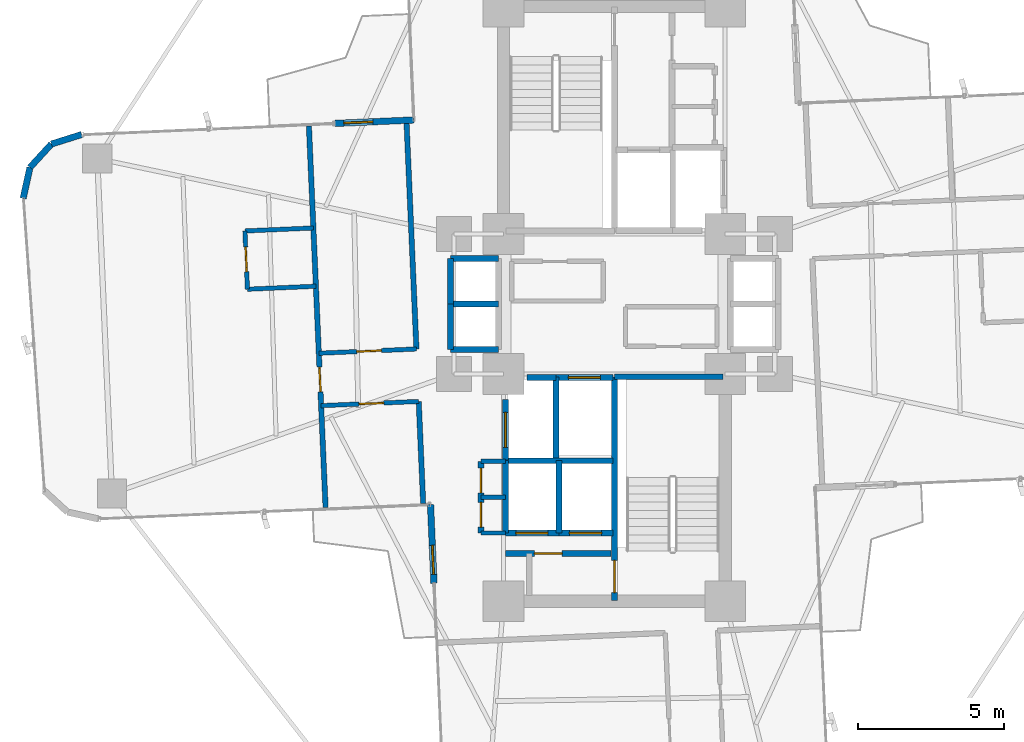
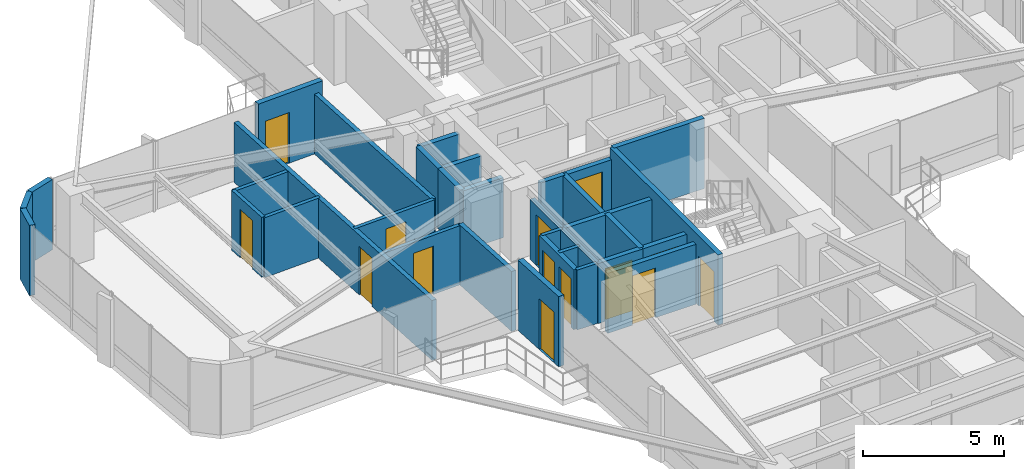
# One storey, part 23 of 27: 34 walls, 14 doors, 14 openings.
"""IFC4 building model written with IfcOpenShell, lengths in metres."""

from ifc_helpers import new_model, si_unit, direction, frame, frame_2d, origin, origin_2d, place, context, subcontext, project, spatial, rectangle, extrude, source, transform, mapped, material, layer, layer_set, type_object, element, fill, save


model = new_model("IFC4")

# Units and contexts
model_context = context("Model", 3, precision=1e-05, world=origin(), true_north=direction((0.0, 1.0)))
body_context = subcontext(model_context, "Body", "Model", "MODEL_VIEW")
ifc_project = project(units=[si_unit("LENGTHUNIT", "METRE"), si_unit("AREAUNIT", "SQUARE_METRE"), si_unit("VOLUMEUNIT", "CUBIC_METRE"), si_unit("PLANEANGLEUNIT", "RADIAN"), si_unit("MASSUNIT", "GRAM", prefix="KILO")], contexts=[model_context])

# Site, building, storey
site_placement = place(None, origin())
site = spatial("IfcSite", under=ifc_project, at=site_placement, CompositionType="ELEMENT")
building_placement = place(site_placement, origin())
building = spatial("IfcBuilding", under=site, at=building_placement, Name="Sahyath Konkavel Grand Hotel", CompositionType="ELEMENT")
storey_placement = place(building_placement, frame((0.0, 0.0, 103.60009765625)))
storey = spatial("IfcBuildingStorey", under=building, at=storey_placement, Name="L28", CompositionType="ELEMENT", Elevation=103.60009765625)

# Wall, opening, door
ifc_material_1 = material(Name="Warm Buff Sandstone Insulated Concrete C40/50", Category="masonry")
ifc_layer_1 = layer(ifc_material_1, 0.219970703125)
ifc_layer_set_1 = layer_set([ifc_layer_1], Name="Warm Buff Sandstone Insulated Concrete C40/50")
wall_type_1 = type_object("IfcWallType", Name="WLL-BALC-THRESH", PredefinedType="STANDARD", material=ifc_layer_set_1)
wall_1_placement = place(storey_placement, frame((-6.881591796875, 6.305908203125, 0.0), z_axis=(0.0, 0.0, 1.0), x_axis=(-0.999045894436, -0.043672655174, 0.0)))
wall_1 = element("IfcWall", 1, at=wall_1_placement, inside=storey, type_object=wall_type_1, Name="L28 Winter-Garden Threshold Wall 16", PredefinedType="STANDARD", context=body_context, shape_type="SweptSolid", body=[
    extrude(rectangle(XDim=2.7001953125, YDim=0.219970703125, at=frame_2d((1.35009765625, 0.0))), origin(), (0.0, 0.0, 1.0), 3.0498046875),
])
opening_1_placement = place(wall_1_placement, frame((1.39990234375, 0.0, 0.0)))
opening_1 = element("IfcOpeningElement", 2, at=opening_1_placement, cuts=wall_1, Name="Opening D-TR1", PredefinedType="OPENING", context=body_context, shape_type="SweptSolid", body=[
    extrude(rectangle(XDim=1.0, YDim=2.199951171875, at=frame_2d((0.5, 1.10009765625))), frame((0.0, 0.1201171875, 0.0), z_axis=(0.0, -1.0, 0.0), x_axis=(1.0, 0.0, 0.0)), (0.0, 0.0, 1.0), 0.239990234375),
])
ifc_material_2 = material(Name="Anodised Bronze Aluminium & Low-E Glazing", Category="aluminium")
door_type_1 = type_object("IfcDoorType", Name="DR-TERRACE-1000", OperationType="NOTDEFINED", PredefinedType="DOOR", material=ifc_material_2)
shared_shape_1 = source(origin(), body_context, "Body", "SweptSolid", [
    extrude(rectangle(XDim=1.0, YDim=0.050048828125, at=origin_2d()), origin(), (0.0, 0.0, 1.0), 2.199951171875),
])
door_1_placement = place(opening_1_placement, frame((0.5, 0.0, 0.0)))
door_1 = element("IfcDoor", 3, at=door_1_placement, inside=storey, type_object=door_type_1, Name="L28 Winter-Garden Terrace Door 16", OperationType="SINGLE_SWING_LEFT", OverallHeight=2.199951171875, OverallWidth=1.0, PredefinedType="DOOR", context=body_context, shape_type="MappedRepresentation", body=[
    mapped(shared_shape_1, transform((0.0, 0.0, 0.0), scale=1.0)),
])
fill(opening_1, door_1)

# Walls
for number, where, z_axis, x_axis, name in (
    (4, (-18.270751953125, 5.80859375, 0.0), (0.0, 0.0, 1.0), (-0.953721713582, -0.30069069331, 0.0), "L28 Rounded Corner Sandstone Pier 17"),
    (5, (-19.3076171875, 5.481689453125, 0.0), (0.0, 0.0, 1.0), (-0.675551721847, -0.737312600672, 0.0), "L28 Rounded Corner Sandstone Pier 18"),
):
    element("IfcWall", number, at=place(storey_placement, frame(where, z_axis=z_axis, x_axis=x_axis)), inside=storey, type_object=wall_type_1, Name=name, PredefinedType="STANDARD", context=body_context, shape_type="SweptSolid", body=[
        extrude(rectangle(XDim=1.087158203125, YDim=0.219970703125, at=frame_2d((0.54345703125, 0.0))), origin(), (0.0, 0.0, 1.0), 3.0498046875),
    ])
wall_2_placement = place(storey_placement, frame((-20.0419921875, 4.68017578125, 0.0), z_axis=(0.0, 0.0, 1.0), x_axis=(-0.216288323511, -0.976329535102, 0.0)))
element("IfcWall", 6, at=wall_2_placement, inside=storey, type_object=wall_type_1, Name="L28 Rounded Corner Sandstone Pier 19", PredefinedType="STANDARD", context=body_context, shape_type="SweptSolid", body=[
    extrude(rectangle(XDim=1.0869140625, YDim=0.219970703125, at=frame_2d((0.54345703125, 0.0))), origin(), (0.0, 0.0, 1.0), 3.0498046875),
])

# Wall, opening, door
wall_3_placement = place(storey_placement, frame((-6.305908203125, -6.881591796875, 0.0), z_axis=(0.0, 0.0, 1.0), x_axis=(0.043672655174, -0.999045894436, 0.0)))
wall_3 = element("IfcWall", 7, at=wall_3_placement, inside=storey, type_object=wall_type_1, Name="L28 Winter-Garden Threshold Wall 24", PredefinedType="STANDARD", context=body_context, shape_type="SweptSolid", body=[
    extrude(rectangle(XDim=2.7001953125, YDim=0.219970703125, at=frame_2d((1.35009765625, 0.0))), origin(), (0.0, 0.0, 1.0), 3.0498046875),
])
opening_2_placement = place(wall_3_placement, frame((1.39990234375, 0.0, 0.0)))
opening_2 = element("IfcOpeningElement", 8, at=opening_2_placement, cuts=wall_3, Name="Opening D-TR1", PredefinedType="OPENING", context=body_context, shape_type="SweptSolid", body=[
    extrude(rectangle(XDim=1.0, YDim=2.199951171875, at=frame_2d((0.5, 1.10009765625))), frame((0.0, 0.1201171875, 0.0), z_axis=(0.0, -1.0, 0.0), x_axis=(1.0, 0.0, 0.0)), (0.0, 0.0, 1.0), 0.239990234375),
])
door_2_placement = place(opening_2_placement, frame((0.5, 0.0, 0.0)))
door_2 = element("IfcDoor", 9, at=door_2_placement, inside=storey, type_object=door_type_1, Name="L28 Winter-Garden Terrace Door 24", OperationType="SINGLE_SWING_LEFT", OverallHeight=2.199951171875, OverallWidth=1.0, PredefinedType="DOOR", context=body_context, shape_type="MappedRepresentation", body=[
    mapped(shared_shape_1, transform((0.0, 0.0, 0.0), scale=1.0)),
])
fill(opening_2, door_2)

ifc_material_3 = material(Name="Concrete C40/50", Category="concrete")
ifc_layer_2 = layer(ifc_material_3, 0.199951171875)
ifc_layer_set_2 = layer_set([ifc_layer_2], Name="Concrete C40/50")
wall_type_2 = type_object("IfcWallType", Name="WLL-CORE-200", PredefinedType="SOLIDWALL", material=ifc_layer_set_2)
wall_4_placement = place(storey_placement, frame((0.0, -10.179931640625, 0.0), z_axis=(0.0, 0.0, 1.0), x_axis=(0.0, 1.0, 0.0)))
wall_4 = element("IfcWall", 10, at=wall_4_placement, inside=storey, type_object=wall_type_2, Name="L28 Stair ST-2 Shaft Wall W", PredefinedType="SOLIDWALL", context=body_context, shape_type="SweptSolid", body=[
    extrude(rectangle(XDim=7.679931640625, YDim=0.199951171875, at=frame_2d((3.83984375, 0.0))), origin(), (0.0, 0.0, 1.0), 3.0498046875),
])
opening_3_placement = place(wall_4_placement, frame((0.280029296875, 0.0, 0.0)))
opening_3 = element("IfcOpeningElement", 11, at=opening_3_placement, cuts=wall_4, Name="Opening D-F12B", PredefinedType="OPENING", context=body_context, shape_type="SweptSolid", body=[
    extrude(rectangle(XDim=1.10009765625, YDim=2.14990234375, at=frame_2d((0.550048828125, 1.074951171875))), frame((0.0, 0.10986328125, 0.0), z_axis=(0.0, -1.0, 0.0), x_axis=(1.0, 0.0, 0.0)), (0.0, 0.0, 1.0), 0.219970703125),
])
ifc_material_4 = material(Name="Steel E350 Smokeproof Fire Door", Category="steel")
door_type_2 = type_object("IfcDoorType", Name="DR-FD120-1100", OperationType="NOTDEFINED", PredefinedType="DOOR", material=ifc_material_4)
shared_shape_2 = source(origin(), body_context, "Body", "SweptSolid", [
    extrude(rectangle(XDim=1.10009765625, YDim=0.050048828125, at=origin_2d()), origin(), (0.0, 0.0, 1.0), 2.14990234375),
])
door_3_placement = place(opening_3_placement, frame((0.550048828125, 0.0, 0.0)))
door_3 = element("IfcDoor", 12, at=door_3_placement, inside=storey, type_object=door_type_2, Name="L28 Stair ST-2 Fire Door", OperationType="SINGLE_SWING_LEFT", OverallHeight=2.14990234375, OverallWidth=1.10009765625, PredefinedType="DOOR", context=body_context, shape_type="MappedRepresentation", body=[
    mapped(shared_shape_2, transform((0.0, 0.0, 0.0), scale=1.0)),
])
fill(opening_3, door_3)

# Walls
wall_5_placement = place(storey_placement, frame((0.0, -2.5, 0.0), z_axis=(0.0, 0.0, 1.0), x_axis=(1.0, 0.0, 0.0)))
element("IfcWall", 13, at=wall_5_placement, inside=storey, type_object=wall_type_2, Name="L28 Stair ST-2 Shaft Wall N", PredefinedType="SOLIDWALL", context=body_context, shape_type="SweptSolid", body=[
    extrude(rectangle(XDim=3.719970703125, YDim=0.199951171875, at=frame_2d((1.85986328125, 0.0))), origin(), (0.0, 0.0, 1.0), 3.0498046875),
])
wall_6_placement = place(storey_placement, frame((-2.0, -5.280029296875, 0.0), z_axis=(0.0, 0.0, 1.0), x_axis=(0.0, 1.0, 0.0)))
element("IfcWall", 14, at=wall_6_placement, inside=storey, type_object=wall_type_2, Name="L28 Partition SH-FFL2-W", PredefinedType="SOLIDWALL", context=body_context, shape_type="SweptSolid", body=[
    extrude(rectangle(XDim=2.780029296875, YDim=0.199951171875, at=frame_2d((1.39013671875, 0.0))), origin(), (0.0, 0.0, 1.0), 2.599853515625),
])

# Wall, opening, door
wall_7_placement = place(storey_placement, frame((-2.0, -2.52001953125, 0.0), z_axis=(0.0, 0.0, 1.0), x_axis=(1.0, 0.0, 0.0)))
wall_7 = element("IfcWall", 15, at=wall_7_placement, inside=storey, type_object=wall_type_2, Name="L28 Partition SH-FFL2-N", PredefinedType="SOLIDWALL", context=body_context, shape_type="SweptSolid", body=[
    extrude(rectangle(XDim=1.949951171875, YDim=0.199951171875, at=frame_2d((0.97509765625, 0.0))), origin(), (0.0, 0.0, 1.0), 2.599853515625),
])
opening_4_placement = place(wall_7_placement, frame((0.419921875, 0.0, 0.0)))
opening_4 = element("IfcOpeningElement", 16, at=opening_4_placement, cuts=wall_7, Name="Opening LD-11", PredefinedType="OPENING", context=body_context, shape_type="SweptSolid", body=[
    extrude(rectangle(XDim=1.10009765625, YDim=2.199951171875, at=frame_2d((0.550048828125, 1.10009765625))), frame((0.0, 0.10986328125, 0.0), z_axis=(0.0, -1.0, 0.0), x_axis=(1.0, 0.0, 0.0)), (0.0, 0.0, 1.0), 0.219970703125),
])
ifc_material_5 = material(Name="Bronze Lift Landing Door 1100")
door_type_3 = type_object("IfcDoorType", Name="DR-LIFT-1100", OperationType="DOUBLE_DOOR_SLIDING", PredefinedType="DOOR", material=ifc_material_5)
shared_shape_3 = source(origin(), body_context, "Body", "SweptSolid", [
    extrude(rectangle(XDim=1.10009765625, YDim=0.050048828125, at=origin_2d()), origin(), (0.0, 0.0, 1.0), 2.199951171875),
])
door_4_placement = place(opening_4_placement, frame((0.550048828125, 0.0, 0.0)))
door_4 = element("IfcDoor", 17, at=door_4_placement, inside=storey, type_object=door_type_3, Name="L28 Lift FFL-2 Landing Door", OperationType="DOUBLE_DOOR_SLIDING", OverallHeight=2.199951171875, OverallWidth=1.10009765625, PredefinedType="DOOR", context=body_context, shape_type="MappedRepresentation", body=[
    mapped(shared_shape_3, transform((0.0, 0.0, 0.0), scale=1.0)),
])
fill(opening_4, door_4)

# Wall
wall_8_placement = place(storey_placement, frame((-3.0, -2.52001953125, 0.0), z_axis=(0.0, 0.0, 1.0), x_axis=(1.0, 0.0, 0.0)))
element("IfcWall", 18, at=wall_8_placement, inside=storey, type_object=wall_type_2, Name="L28 Partition SH-SVL2-N", PredefinedType="SOLIDWALL", context=body_context, shape_type="SweptSolid", body=[
    extrude(rectangle(XDim=1.0, YDim=0.199951171875, at=frame_2d((0.5, 0.0))), origin(), (0.0, 0.0, 1.0), 2.599853515625),
])

# Wall, opening, door
wall_9_placement = place(storey_placement, frame((-3.739990234375, -5.360107421875, 0.0), z_axis=(0.0, 0.0, 1.0), x_axis=(0.0, 1.0, 0.0)))
wall_9 = element("IfcWall", 19, at=wall_9_placement, inside=storey, type_object=wall_type_2, Name="L28 Partition SH-SVL2-W", PredefinedType="SOLIDWALL", context=body_context, shape_type="SweptSolid", body=[
    extrude(rectangle(XDim=2.080078125, YDim=0.199951171875, at=frame_2d((1.0400390625, 0.0))), origin(), (0.0, 0.0, 1.0), 2.599853515625),
])
opening_5_placement = place(wall_9_placement, frame((0.43994140625, 0.0, 0.0)))
opening_5 = element("IfcOpeningElement", 20, at=opening_5_placement, cuts=wall_9, Name="Opening LD-12", PredefinedType="OPENING", context=body_context, shape_type="SweptSolid", body=[
    extrude(rectangle(XDim=1.199951171875, YDim=2.199951171875, at=frame_2d((0.60009765625, 1.10009765625))), frame((0.0, 0.10986328125, 0.0), z_axis=(0.0, -1.0, 0.0), x_axis=(1.0, 0.0, 0.0)), (0.0, 0.0, 1.0), 0.219970703125),
])
ifc_material_6 = material(Name="Stainless Steel Lift Landing Door 1200", Category="steel")
door_type_4 = type_object("IfcDoorType", Name="DR-LIFT-1200", OperationType="DOUBLE_DOOR_SLIDING", PredefinedType="DOOR", material=ifc_material_6)
shared_shape_4 = source(origin(), body_context, "Body", "SweptSolid", [
    extrude(rectangle(XDim=1.199951171875, YDim=0.050048828125, at=origin_2d()), origin(), (0.0, 0.0, 1.0), 2.199951171875),
])
door_5_placement = place(opening_5_placement, frame((0.60009765625, 0.0, 0.0)))
door_5 = element("IfcDoor", 21, at=door_5_placement, inside=storey, type_object=door_type_4, Name="L28 Service Lift SVL-2 Landing Door", OperationType="DOUBLE_DOOR_SLIDING", OverallHeight=2.199951171875, OverallWidth=1.199951171875, PredefinedType="DOOR", context=body_context, shape_type="MappedRepresentation", body=[
    mapped(shared_shape_4, transform((0.0, 0.0, 0.0), scale=1.0)),
])
fill(opening_5, door_5)

# Wall
wall_10_placement = place(storey_placement, frame((-3.739990234375, -7.860107421875, 0.0), z_axis=(0.0, 0.0, 1.0), x_axis=(0.0, 1.0, 0.0)))
element("IfcWall", 22, at=wall_10_placement, inside=storey, type_object=wall_type_2, Name="L28 Partition SH-PL3-W", PredefinedType="SOLIDWALL", context=body_context, shape_type="SweptSolid", body=[
    extrude(rectangle(XDim=2.480224609375, YDim=0.199951171875, at=frame_2d((1.240234375, 0.0))), origin(), (0.0, 0.0, 1.0), 2.599853515625),
])

# Wall, opening, door
wall_11_placement = place(storey_placement, frame((-3.739990234375, -7.860107421875, 0.0), z_axis=(0.0, 0.0, 1.0), x_axis=(1.0, 0.0, 0.0)))
wall_11 = element("IfcWall", 23, at=wall_11_placement, inside=storey, type_object=wall_type_2, Name="L28 Partition SH-PL3-S", PredefinedType="SOLIDWALL", context=body_context, shape_type="SweptSolid", body=[
    extrude(rectangle(XDim=1.840087890625, YDim=0.199951171875, at=frame_2d((0.919921875, 0.0))), origin(), (0.0, 0.0, 1.0), 2.599853515625),
])
opening_6_placement = place(wall_11_placement, frame((0.360107421875, 0.0, 0.0)))
opening_6 = element("IfcOpeningElement", 24, at=opening_6_placement, cuts=wall_11, Name="Opening LD-11", PredefinedType="OPENING", context=body_context, shape_type="SweptSolid", body=[
    extrude(rectangle(XDim=1.10009765625, YDim=2.199951171875, at=frame_2d((0.550048828125, 1.10009765625))), frame((0.0, 0.10986328125, 0.0), z_axis=(0.0, -1.0, 0.0), x_axis=(1.0, 0.0, 0.0)), (0.0, 0.0, 1.0), 0.219970703125),
])
door_6_placement = place(opening_6_placement, frame((0.550048828125, 0.0, 0.0)))
door_6 = element("IfcDoor", 25, at=door_6_placement, inside=storey, type_object=door_type_3, Name="L28 Passenger Lift PL-3 Landing Door", OperationType="DOUBLE_DOOR_SLIDING", OverallHeight=2.199951171875, OverallWidth=1.10009765625, PredefinedType="DOOR", context=body_context, shape_type="MappedRepresentation", body=[
    mapped(shared_shape_3, transform((0.0, 0.0, 0.0), scale=1.0)),
])
fill(opening_6, door_6)

# Walls
wall_12_placement = place(storey_placement, frame((-3.739990234375, -5.3798828125, 0.0), z_axis=(0.0, 0.0, 1.0), x_axis=(1.0, 0.0, 0.0)))
element("IfcWall", 26, at=wall_12_placement, inside=storey, type_object=wall_type_2, Name="L28 Partition SH-PL34-N", PredefinedType="SOLIDWALL", context=body_context, shape_type="SweptSolid", body=[
    extrude(rectangle(XDim=3.68994140625, YDim=0.199951171875, at=frame_2d((1.844970703125, 0.0))), origin(), (0.0, 0.0, 1.0), 2.599853515625),
])
wall_13_placement = place(storey_placement, frame((-1.89990234375, -7.860107421875, 0.0), z_axis=(0.0, 0.0, 1.0), x_axis=(0.0, 1.0, 0.0)))
element("IfcWall", 27, at=wall_13_placement, inside=storey, type_object=wall_type_2, Name="L28 Partition SH-PL34-M", PredefinedType="SOLIDWALL", context=body_context, shape_type="SweptSolid", body=[
    extrude(rectangle(XDim=2.480224609375, YDim=0.199951171875, at=frame_2d((1.240234375, 0.0))), origin(), (0.0, 0.0, 1.0), 2.599853515625),
])

# Wall, opening, door
wall_14_placement = place(storey_placement, frame((-1.89990234375, -7.860107421875, 0.0), z_axis=(0.0, 0.0, 1.0), x_axis=(1.0, 0.0, 0.0)))
wall_14 = element("IfcWall", 28, at=wall_14_placement, inside=storey, type_object=wall_type_2, Name="L28 Partition SH-PL4-S", PredefinedType="SOLIDWALL", context=body_context, shape_type="SweptSolid", body=[
    extrude(rectangle(XDim=1.849853515625, YDim=0.199951171875, at=frame_2d((0.9248046875, 0.0))), origin(), (0.0, 0.0, 1.0), 2.599853515625),
])
opening_7_placement = place(wall_14_placement, frame((0.360107421875, 0.0, 0.0)))
opening_7 = element("IfcOpeningElement", 29, at=opening_7_placement, cuts=wall_14, Name="Opening LD-11", PredefinedType="OPENING", context=body_context, shape_type="SweptSolid", body=[
    extrude(rectangle(XDim=1.10009765625, YDim=2.199951171875, at=frame_2d((0.550048828125, 1.10009765625))), frame((0.0, 0.10986328125, 0.0), z_axis=(0.0, -1.0, 0.0), x_axis=(1.0, 0.0, 0.0)), (0.0, 0.0, 1.0), 0.219970703125),
])
door_7_placement = place(opening_7_placement, frame((0.550048828125, 0.0, 0.0)))
door_7 = element("IfcDoor", 30, at=door_7_placement, inside=storey, type_object=door_type_3, Name="L28 Passenger Lift PL-4 Landing Door", OperationType="DOUBLE_DOOR_SLIDING", OverallHeight=2.199951171875, OverallWidth=1.10009765625, PredefinedType="DOOR", context=body_context, shape_type="MappedRepresentation", body=[
    mapped(shared_shape_3, transform((0.0, 0.0, 0.0), scale=1.0)),
])
fill(opening_7, door_7)

# Walls
for number, where, z_axis, x_axis, name in (
    (31, (-5.6201171875, 1.56005859375, 0.0), (0.0, 0.0, 1.0), (1.0, 0.0, 0.0), "L28 Partition SH-SL12-N"),
    (32, (-5.6201171875, -1.56005859375, 0.0), (0.0, 0.0, 1.0), (1.0, 0.0, 0.0), "L28 Partition SH-SL12-S"),
    (33, (-5.6201171875, 0.0, 0.0), (0.0, 0.0, 1.0), (1.0, 0.0, 0.0), "L28 Partition SH-SL12-M"),
):
    element("IfcWall", number, at=place(storey_placement, frame(where, z_axis=z_axis, x_axis=x_axis)), inside=storey, type_object=wall_type_2, Name=name, PredefinedType="SOLIDWALL", context=body_context, shape_type="SweptSolid", body=[
        extrude(rectangle(XDim=1.64013671875, YDim=0.199951171875, at=frame_2d((0.820068359375, 0.0))), origin(), (0.0, 0.0, 1.0), 2.599853515625),
    ])
for number, where, z_axis, x_axis, name in (
    (34, (-5.6201171875, 0.0, 0.0), (0.0, 0.0, 1.0), (0.0, 1.0, 0.0), "L28 Partition SH-SL1-W"),
    (35, (-5.6201171875, -1.56005859375, 0.0), (0.0, 0.0, 1.0), (0.0, 1.0, 0.0), "L28 Partition SH-SL2-W"),
):
    element("IfcWall", number, at=place(storey_placement, frame(where, z_axis=z_axis, x_axis=x_axis)), inside=storey, type_object=wall_type_2, Name=name, PredefinedType="SOLIDWALL", context=body_context, shape_type="SweptSolid", body=[
        extrude(rectangle(XDim=1.56005859375, YDim=0.199951171875, at=frame_2d((0.780029296875, 0.0))), origin(), (0.0, 0.0, 1.0), 2.599853515625),
    ])

# Wall, opening, door
wall_15_placement = place(storey_placement, frame((-3.739990234375, -8.56005859375, 0.0), z_axis=(0.0, 0.0, 1.0), x_axis=(1.0, 0.0, 0.0)))
wall_15 = element("IfcWall", 36, at=wall_15_placement, inside=storey, type_object=wall_type_2, Name="L28 South FF Lobby Separation Wall", PredefinedType="SOLIDWALL", context=body_context, shape_type="SweptSolid", body=[
    extrude(rectangle(XDim=3.619873046875, YDim=0.199951171875, at=frame_2d((1.81005859375, 0.0))), origin(), (0.0, 0.0, 1.0), 2.599853515625),
])
opening_8_placement = place(wall_15_placement, frame((1.0, 0.0, 0.0)))
opening_8 = element("IfcOpeningElement", 37, at=opening_8_placement, cuts=wall_15, Name="Opening D-F12C", PredefinedType="OPENING", context=body_context, shape_type="SweptSolid", body=[
    extrude(rectangle(XDim=0.949951171875, YDim=2.14990234375, at=frame_2d((0.47509765625, 1.074951171875))), frame((0.0, 0.10986328125, 0.0), z_axis=(0.0, -1.0, 0.0), x_axis=(1.0, 0.0, 0.0)), (0.0, 0.0, 1.0), 0.219970703125),
])
ifc_material_7 = material(Name="Steel E350 Plant Fire Door", Category="steel")
door_type_5 = type_object("IfcDoorType", Name="DR-FD120-950", OperationType="NOTDEFINED", PredefinedType="DOOR", material=ifc_material_7)
shared_shape_5 = source(origin(), body_context, "Body", "SweptSolid", [
    extrude(rectangle(XDim=0.949951171875, YDim=0.050048828125, at=origin_2d()), origin(), (0.0, 0.0, 1.0), 2.14990234375),
])
door_8_placement = place(opening_8_placement, frame((0.47509765625, 0.0, 0.0)))
door_8 = element("IfcDoor", 38, at=door_8_placement, inside=storey, type_object=door_type_5, Name="L28 South Firefighting Lobby Door", OperationType="SINGLE_SWING_RIGHT", OverallHeight=2.14990234375, OverallWidth=0.949951171875, PredefinedType="DOOR", context=body_context, shape_type="MappedRepresentation", body=[
    mapped(shared_shape_5, transform((0.0, 0.0, 0.0), scale=1.0)),
])
fill(opening_8, door_8)

# Wall, openings, doors
wall_16_placement = place(storey_placement, frame((-4.580078125, -7.860107421875, 0.0), z_axis=(0.0, 0.0, 1.0), x_axis=(0.0, 1.0, 0.0)))
wall_16 = element("IfcWall", 39, at=wall_16_placement, inside=storey, type_object=wall_type_2, Name="L28 Partition SC-FLK-W", PredefinedType="SOLIDWALL", context=body_context, shape_type="SweptSolid", body=[
    extrude(rectangle(XDim=2.460205078125, YDim=0.199951171875, at=frame_2d((1.22998046875, 0.0))), origin(), (0.0, 0.0, 1.0), 2.599853515625),
])
opening_9_placement = place(wall_16_placement, frame((0.199951171875, 0.0, 0.0)))
opening_9 = element("IfcOpeningElement", 40, at=opening_9_placement, cuts=wall_16, Name="Opening D-F06D", PredefinedType="OPENING", context=body_context, shape_type="SweptSolid", body=[
    extrude(rectangle(XDim=0.85009765625, YDim=2.10009765625, at=frame_2d((0.425048828125, 1.050048828125))), frame((0.0, 0.10986328125, 0.0), z_axis=(0.0, -1.0, 0.0), x_axis=(1.0, 0.0, 0.0)), (0.0, 0.0, 1.0), 0.219970703125),
])
opening_10_placement = place(wall_16_placement, frame((1.3798828125, 0.0, 0.0)))
opening_10 = element("IfcOpeningElement", 41, at=opening_10_placement, cuts=wall_16, Name="Opening D-F06D", PredefinedType="OPENING", context=body_context, shape_type="SweptSolid", body=[
    extrude(rectangle(XDim=0.85009765625, YDim=2.10009765625, at=frame_2d((0.425048828125, 1.050048828125))), frame((0.0, 0.10986328125, 0.0), z_axis=(0.0, -1.0, 0.0), x_axis=(1.0, 0.0, 0.0)), (0.0, 0.0, 1.0), 0.219970703125),
])
ifc_material_8 = material(Name="Fire-Rated Shaft Access Door")
door_type_6 = type_object("IfcDoorType", Name="DR-FD60-850", OperationType="NOTDEFINED", PredefinedType="DOOR", material=ifc_material_8)
shared_shape_6 = source(origin(), body_context, "Body", "SweptSolid", [
    extrude(rectangle(XDim=0.85009765625, YDim=0.050048828125, at=origin_2d()), origin(), (0.0, 0.0, 1.0), 2.10009765625),
])
door_9_placement = place(opening_9_placement, frame((0.425048828125, 0.0, 0.0)))
door_9 = element("IfcDoor", 42, at=door_9_placement, inside=storey, type_object=door_type_6, Name="L28 Door SC-FLK1-D", OperationType="SINGLE_SWING_LEFT", OverallHeight=2.10009765625, OverallWidth=0.85009765625, PredefinedType="DOOR", context=body_context, shape_type="MappedRepresentation", body=[
    mapped(shared_shape_6, transform((0.0, 0.0, 0.0), scale=1.0)),
])
fill(opening_9, door_9)
door_10_placement = place(opening_10_placement, frame((0.425048828125, 0.0, 0.0)))
door_10 = element("IfcDoor", 43, at=door_10_placement, inside=storey, type_object=door_type_6, Name="L28 Door SC-FLK2-D", OperationType="SINGLE_SWING_RIGHT", OverallHeight=2.10009765625, OverallWidth=0.85009765625, PredefinedType="DOOR", context=body_context, shape_type="MappedRepresentation", body=[
    mapped(shared_shape_6, transform((0.0, 0.0, 0.0), scale=1.0)),
])
fill(opening_10, door_10)

# Walls
ifc_material_9 = material(Name="Twin-Stud Acoustic Gypsum Plasterboard Partition")
ifc_layer_3 = layer(ifc_material_9, 0.179931640625)
ifc_layer_set_3 = layer_set([ifc_layer_3], Name="Twin-Stud Acoustic Gypsum Plasterboard Partition")
wall_type_3 = type_object("IfcWallType", Name="WLL-DEMISE-180", PredefinedType="PARTITIONING", material=ifc_layer_set_3)
wall_17_placement = place(storey_placement, frame((-6.71044921875, -3.345947265625, 0.0), z_axis=(0.0, 0.0, 1.0), x_axis=(0.043597663116, -0.999049169846, 0.0)))
element("IfcWall", 44, at=wall_17_placement, inside=storey, type_object=wall_type_3, Name="L28 Partition W-INL", PredefinedType="PARTITIONING", context=body_context, shape_type="SweptSolid", body=[
    extrude(rectangle(XDim=3.5, YDim=0.179931640625, at=frame_2d((1.75, 0.0))), origin(), (0.0, 0.0, 1.0), 2.599853515625),
])
wall_18_placement = place(storey_placement, frame((-7.129150390625, 6.2451171875, 0.0), z_axis=(0.0, 0.0, 1.0), x_axis=(0.043600217373, -0.999049058378, 0.0)))
element("IfcWall", 45, at=wall_18_placement, inside=storey, type_object=wall_type_3, Name="L28 Partition W-INR", PredefinedType="PARTITIONING", context=body_context, shape_type="SweptSolid", body=[
    extrude(rectangle(XDim=7.800048828125, YDim=0.179931640625, at=frame_2d((3.89990234375, 0.0))), origin(), (0.0, 0.0, 1.0), 2.599853515625),
])

# Wall, opening, door
wall_19_placement = place(storey_placement, frame((-10.47607421875, 6.098876953125, 0.0), z_axis=(0.0, 0.0, 1.0), x_axis=(0.043628089563, -0.999047841598, 0.0)))
wall_19 = element("IfcWall", 46, at=wall_19_placement, inside=storey, type_object=wall_type_3, Name="L28 Partition W-WTIP-END", PredefinedType="PARTITIONING", context=body_context, shape_type="SweptSolid", body=[
    extrude(rectangle(XDim=13.10009765625, YDim=0.179931640625, at=frame_2d((6.550048828125, 0.0))), origin(), (0.0, 0.0, 1.0), 2.599853515625),
])
opening_11_placement = place(wall_19_placement, frame((8.27490234375, 0.0, 0.0)))
opening_11 = element("IfcOpeningElement", 47, at=opening_11_placement, cuts=wall_19, Name="Opening D-F06D", PredefinedType="OPENING", context=body_context, shape_type="SweptSolid", body=[
    extrude(rectangle(XDim=0.85009765625, YDim=2.10009765625, at=frame_2d((0.425048828125, 1.050048828125))), frame((0.0, 0.10009765625, 0.0), z_axis=(0.0, -1.0, 0.0), x_axis=(1.0, 0.0, 0.0)), (0.0, 0.0, 1.0), 0.199951171875),
])
door_11_placement = place(opening_11_placement, frame((0.425048828125, 0.0, 0.0)))
door_11 = element("IfcDoor", 48, at=door_11_placement, inside=storey, type_object=door_type_6, Name="L28 Door W-WTIP-ED", OperationType="SINGLE_SWING_RIGHT", OverallHeight=2.10009765625, OverallWidth=0.85009765625, PredefinedType="DOOR", context=body_context, shape_type="MappedRepresentation", body=[
    mapped(shared_shape_6, transform((0.0, 0.0, 0.0), scale=1.0)),
])
fill(opening_11, door_11)

# Walls
ifc_material_10 = material(Name="Fire-Rated Gypsum Plasterboard Partition")
ifc_layer_4 = layer(ifc_material_10, 0.14990234375)
ifc_layer_set_4 = layer_set([ifc_layer_4], Name="Fire-Rated Gypsum Plasterboard Partition")
wall_type_4 = type_object("IfcWallType", Name="WLL-PART-150", PredefinedType="PARTITIONING", material=ifc_layer_set_4)
for number, where, z_axis, x_axis, name in (
    (49, (-4.580078125, -5.39990234375, 0.0), (0.0, 0.0, 1.0), (1.0, 0.0, 0.0), "L28 Partition SC-FLK-N"),
    (50, (-4.580078125, -7.860107421875, 0.0), (0.0, 0.0, 1.0), (1.0, 0.0, 0.0), "L28 Partition SC-FLK-S"),
    (51, (-4.580078125, -6.6298828125, 0.0), (0.0, 0.0, 1.0), (1.0, 0.0, 0.0), "L28 Partition SC-FLK-M"),
):
    element("IfcWall", number, at=place(storey_placement, frame(where, z_axis=z_axis, x_axis=x_axis)), inside=storey, type_object=wall_type_4, Name=name, PredefinedType="PARTITIONING", context=body_context, shape_type="SweptSolid", body=[
        extrude(rectangle(XDim=0.840087890625, YDim=0.14990234375, at=frame_2d((0.419921875, 0.0))), origin(), (0.0, 0.0, 1.0), 2.599853515625),
    ])

# Wall, opening, door
wall_20_placement = place(storey_placement, frame((-6.71044921875, -3.345947265625, 0.0), z_axis=(0.0, 0.0, 1.0), x_axis=(-0.999049960678, -0.043579537274, 0.0)))
wall_20 = element("IfcWall", 52, at=wall_20_placement, inside=storey, type_object=wall_type_4, Name="L28 Partition W-CL", PredefinedType="PARTITIONING", context=body_context, shape_type="SweptSolid", body=[
    extrude(rectangle(XDim=3.35009765625, YDim=0.14990234375, at=frame_2d((1.675048828125, 0.0))), origin(), (0.0, 0.0, 1.0), 2.56982421875),
])
opening_12_placement = place(wall_20_placement, frame((1.199951171875, 0.0, 0.0)))
opening_12 = element("IfcOpeningElement", 53, at=opening_12_placement, cuts=wall_20, Name="Opening D-F06D", PredefinedType="OPENING", context=body_context, shape_type="SweptSolid", body=[
    extrude(rectangle(XDim=0.85009765625, YDim=2.10009765625, at=frame_2d((0.425048828125, 1.050048828125))), frame((0.0, 0.0849609375, 0.0), z_axis=(0.0, -1.0, 0.0), x_axis=(1.0, 0.0, 0.0)), (0.0, 0.0, 1.0), 0.169921875),
])
door_12_placement = place(opening_12_placement, frame((0.425048828125, 0.0, 0.0)))
door_12 = element("IfcDoor", 54, at=door_12_placement, inside=storey, type_object=door_type_6, Name="L28 Door W-WS3L-D", OperationType="SINGLE_SWING_LEFT", OverallHeight=2.10009765625, OverallWidth=0.85009765625, PredefinedType="DOOR", context=body_context, shape_type="MappedRepresentation", body=[
    mapped(shared_shape_6, transform((0.0, 0.0, 0.0), scale=1.0)),
])
fill(opening_12, door_12)

wall_21_placement = place(storey_placement, frame((-6.7890625, -1.547607421875, 0.0), z_axis=(0.0, 0.0, 1.0), x_axis=(-0.99904982226, -0.043582710367, 0.0)))
wall_21 = element("IfcWall", 55, at=wall_21_placement, inside=storey, type_object=wall_type_4, Name="L28 Partition W-CR", PredefinedType="PARTITIONING", context=body_context, shape_type="SweptSolid", body=[
    extrude(rectangle(XDim=3.349853515625, YDim=0.14990234375, at=frame_2d((1.6748046875, 0.0))), origin(), (0.0, 0.0, 1.0), 2.599853515625),
])
opening_13_placement = place(wall_21_placement, frame((1.199951171875, 0.0, 0.0)))
opening_13 = element("IfcOpeningElement", 56, at=opening_13_placement, cuts=wall_21, Name="Opening D-F06D", PredefinedType="OPENING", context=body_context, shape_type="SweptSolid", body=[
    extrude(rectangle(XDim=0.85009765625, YDim=2.10009765625, at=frame_2d((0.425048828125, 1.050048828125))), frame((0.0, 0.0849609375, 0.0), z_axis=(0.0, -1.0, 0.0), x_axis=(1.0, 0.0, 0.0)), (0.0, 0.0, 1.0), 0.169921875),
])
door_13_placement = place(opening_13_placement, frame((0.425048828125, 0.0, 0.0)))
door_13 = element("IfcDoor", 57, at=door_13_placement, inside=storey, type_object=door_type_6, Name="L28 Door W-WHK-D", OperationType="SINGLE_SWING_RIGHT", OverallHeight=2.10009765625, OverallWidth=0.85009765625, PredefinedType="DOOR", context=body_context, shape_type="MappedRepresentation", body=[
    mapped(shared_shape_6, transform((0.0, 0.0, 0.0), scale=1.0)),
])
fill(opening_13, door_13)

# Walls
wall_22_placement = place(storey_placement, frame((-10.236083984375, 0.60400390625, 0.0), z_axis=(0.0, 0.0, 1.0), x_axis=(-0.999052234136, -0.043527387554, 0.0)))
element("IfcWall", 58, at=wall_22_placement, inside=storey, type_object=wall_type_4, Name="L28 Partition W-WTIP-BN", PredefinedType="PARTITIONING", context=body_context, shape_type="SweptSolid", body=[
    extrude(rectangle(XDim=2.35009765625, YDim=0.14990234375, at=frame_2d((1.175048828125, 0.0))), origin(), (0.0, 0.0, 1.0), 2.599853515625),
])
wall_23_placement = place(storey_placement, frame((-10.3232421875, 2.602294921875, 0.0), z_axis=(0.0, 0.0, 1.0), x_axis=(-0.999047711264, -0.043631074008, 0.0)))
element("IfcWall", 59, at=wall_23_placement, inside=storey, type_object=wall_type_4, Name="L28 Partition W-WTIP-BS", PredefinedType="PARTITIONING", context=body_context, shape_type="SweptSolid", body=[
    extrude(rectangle(XDim=2.35009765625, YDim=0.14990234375, at=frame_2d((1.175048828125, 0.0))), origin(), (0.0, 0.0, 1.0), 2.56982421875),
])

# Wall, opening, door
wall_24_placement = place(storey_placement, frame((-12.671142578125, 2.499755859375, 0.0), z_axis=(0.0, 0.0, 1.0), x_axis=(0.043580257179, -0.999049929275, 0.0)))
wall_24 = element("IfcWall", 60, at=wall_24_placement, inside=storey, type_object=wall_type_4, Name="L28 Partition W-WTIP-BE", PredefinedType="PARTITIONING", context=body_context, shape_type="SweptSolid", body=[
    extrude(rectangle(XDim=2.0, YDim=0.14990234375, at=frame_2d((1.0, 0.0))), origin(), (0.0, 0.0, 1.0), 2.599853515625),
])
opening_14_placement = place(wall_24_placement, frame((0.550048828125, 0.0, 0.0)))
opening_14 = element("IfcOpeningElement", 61, at=opening_14_placement, cuts=wall_24, Name="Opening D-BT85", PredefinedType="OPENING", context=body_context, shape_type="SweptSolid", body=[
    extrude(rectangle(XDim=0.85009765625, YDim=2.10009765625, at=frame_2d((0.425048828125, 1.050048828125))), frame((0.0, 0.0849609375, 0.0), z_axis=(0.0, -1.0, 0.0), x_axis=(1.0, 0.0, 0.0)), (0.0, 0.0, 1.0), 0.169921875),
])
ifc_material_11 = material(Name="Moisture-Resistant Teak Bathroom Door")
door_type_7 = type_object("IfcDoorType", Name="DR-BATH-850", OperationType="NOTDEFINED", PredefinedType="DOOR", material=ifc_material_11)
door_14_placement = place(opening_14_placement, frame((0.425048828125, 0.0, 0.0)))
door_14 = element("IfcDoor", 62, at=door_14_placement, inside=storey, type_object=door_type_7, Name="L28 Door W-WTIP-BD", OperationType="SINGLE_SWING_LEFT", OverallHeight=2.10009765625, OverallWidth=0.85009765625, PredefinedType="DOOR", context=body_context, shape_type="MappedRepresentation", body=[
    mapped(shared_shape_6, transform((0.0, 0.0, 0.0), scale=1.0)),
])
fill(opening_14, door_14)

save(model, "model.ifc")
